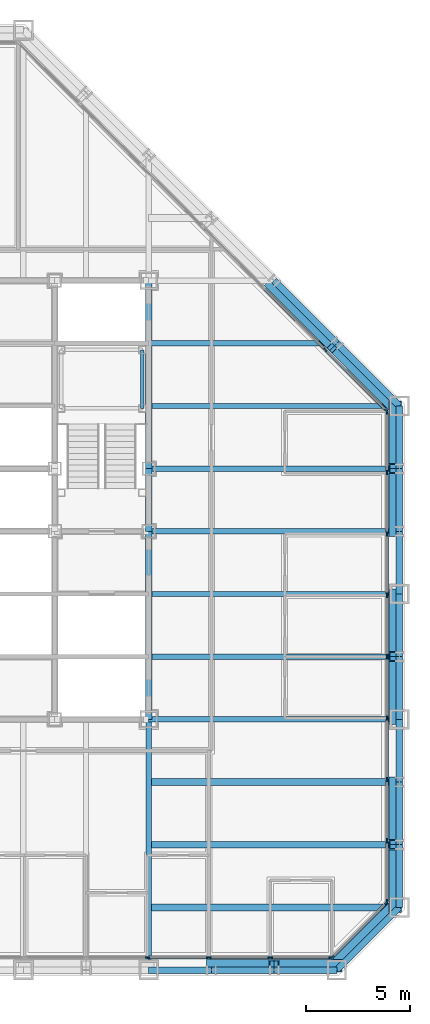
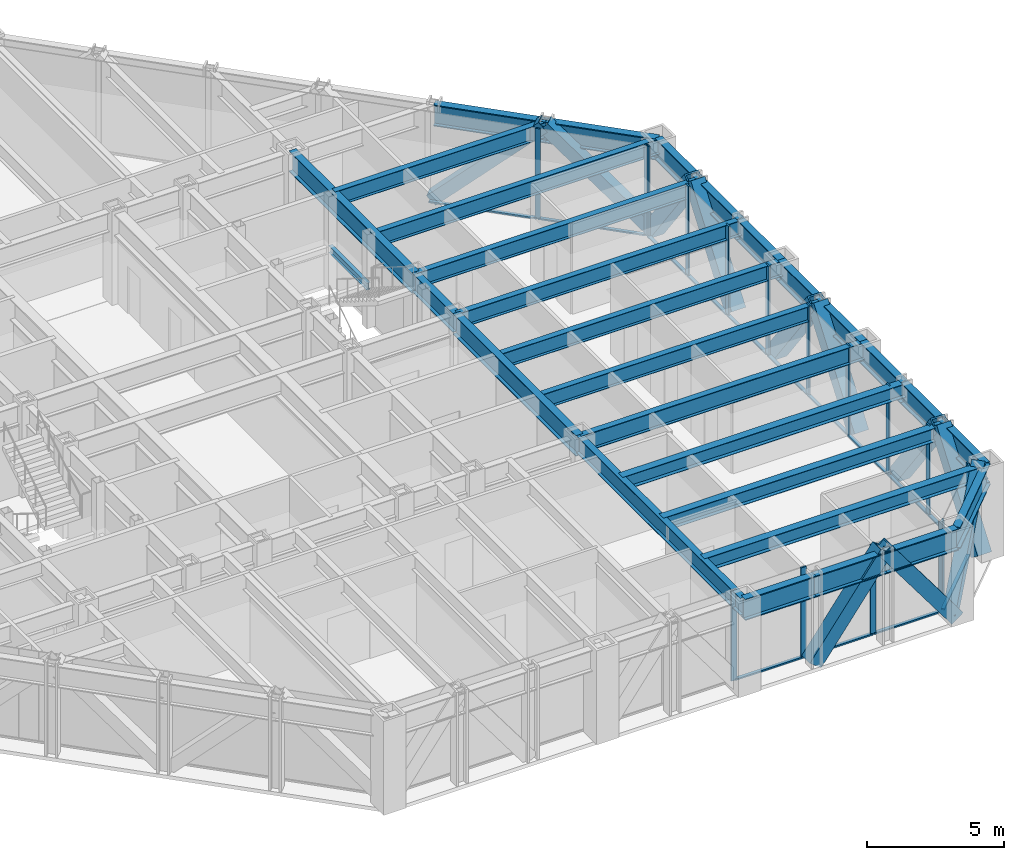
# One storey, part 6 of 16: 42 members, 29 beams, 4 elements without a shape of their own.
"""IFC4 building model written with IfcOpenShell, lengths in metres."""

from ifc_helpers import new_model, si_unit, direction, frame, origin, origin_2d, place, context, subcontext, project, spatial, rectangle, hollow_rectangle, i_section, extrude, material, layer, layer_set, material_profile, profile_set, type_object, element, aggregate, save


model = new_model("IFC4")

# Units and contexts
model_context = context("Model", 3, precision=1e-05, world=origin(), true_north=direction((0.0, 1.0)))
body_context = subcontext(model_context, "Body", "Model", "MODEL_VIEW")
ifc_project = project(units=[si_unit("LENGTHUNIT", "METRE"), si_unit("AREAUNIT", "SQUARE_METRE"), si_unit("VOLUMEUNIT", "CUBIC_METRE"), si_unit("PLANEANGLEUNIT", "RADIAN"), si_unit("MASSUNIT", "GRAM", prefix="KILO")], contexts=[model_context])

# Site, building, storey
site_placement = place(None, origin())
site = spatial("IfcSite", under=ifc_project, at=site_placement, CompositionType="ELEMENT")
building_placement = place(site_placement, origin())
building = spatial("IfcBuilding", under=site, at=building_placement, Name="Chuquiago Exchange Tower", CompositionType="ELEMENT")
storey_placement = place(building_placement, frame((0.0, 0.0, 148.800048828125)))
storey = spatial("IfcBuildingStorey", under=building, at=storey_placement, Name="L32", CompositionType="ELEMENT", Elevation=148.800048828125)

# Beams
ifc_material_1 = material(Name="Steel ASTM A992", Category="steel")
ifc_material_profile_1 = material_profile(ifc_material_1, i_section(OverallWidth=0.25390625, OverallDepth=0.683349609375, WebThickness=0.012451171875, FlangeThickness=0.018798828125, at=origin_2d()), Name="W27X94")
ifc_profile_set_1 = profile_set([ifc_material_profile_1], Name="Steel ASTM A992")
beam_type_1 = type_object("IfcBeamType", Name="B1 W27X94", PredefinedType="BEAM", material=ifc_profile_set_1)
for number, where, z_axis, x_axis, name in (
    (1, (33.0, 15.0, 3.6982421875), (1.0, 0.0, 0.0), (0.0, 1.0, 0.0), "FB-L33-infill-33_15-45_15-0"),
    (2, (33.0, 18.0, 3.6982421875), (1.0, 0.0, 0.0), (0.0, 1.0, 0.0), "FB-L33-infill-33_18-45_18-0"),
    (3, (33.0, 21.0, 3.6982421875), (1.0, 0.0, 0.0), (0.0, 1.0, 0.0), "FB-L33-infill-33_21-45_21-0"),
    (4, (33.0, 24.0, 3.6982421875), (1.0, 0.0, 0.0), (0.0, 1.0, 0.0), "FB-L33-infill-33_24-45_24-0"),
    (5, (33.0, 27.0, 3.6982421875), (1.0, 0.0, 0.0), (0.0, 1.0, 0.0), "FB-L33-infill-33_27-45_27-0"),
):
    element("IfcBeam", number, at=place(storey_placement, frame(where, z_axis=z_axis, x_axis=x_axis)), inside=storey, type_object=beam_type_1, Name=name, PredefinedType="BEAM", context=body_context, shape_type="SweptSolid", body=[
        extrude(i_section(OverallWidth=0.25390625, OverallDepth=0.683349609375, WebThickness=0.012451171875, FlangeThickness=0.018798828125, at=origin_2d()), origin(), (0.0, 0.0, 1.0), 12.0),
    ])
beam_1_placement = place(storey_placement, frame((33.0, 30.0, 3.6982421875), z_axis=(1.0, 0.0, 0.0), x_axis=(0.0, 1.0, 0.0)))
element("IfcBeam", 6, at=beam_1_placement, inside=storey, type_object=beam_type_1, Name="FB-L33-infill-33_30-42_30-0", PredefinedType="BEAM", context=body_context, shape_type="SweptSolid", body=[
    extrude(i_section(OverallWidth=0.25390625, OverallDepth=0.683349609375, WebThickness=0.012451171875, FlangeThickness=0.018798828125, at=origin_2d()), origin(), (0.0, 0.0, 1.0), 9.0),
])
ifc_material_2 = material(Name="Steel ASTM A992", Category="steel")
ifc_material_profile_2 = material_profile(ifc_material_2, i_section(OverallWidth=0.307373046875, OverallDepth=0.927001953125, WebThickness=0.01953125, FlangeThickness=0.031982421875, at=origin_2d()), Name="W36X194")
ifc_profile_set_2 = profile_set([ifc_material_profile_2], Name="Steel ASTM A992")
beam_type_2 = type_object("IfcBeamType", Name="B10 W36X194", PredefinedType="BEAM", material=ifc_profile_set_2)
for number, where, z_axis, x_axis, name in (
    (7, (33.0, 12.0, 3.576416015625), (0.0, 1.0, 0.0), (-1.0, 0.0, 0.0), "CB-L33-33_12-33_21"),
    (8, (33.0, 24.0, 3.576416015625), (0.0, 1.0, 0.0), (-1.0, 0.0, 0.0), "CB-L33-33_24-33_33"),
):
    element("IfcBeam", number, at=place(storey_placement, frame(where, z_axis=z_axis, x_axis=x_axis)), inside=storey, type_object=beam_type_2, Name=name, PredefinedType="BEAM", context=body_context, shape_type="SweptSolid", body=[
        extrude(i_section(OverallWidth=0.307373046875, OverallDepth=0.927001953125, WebThickness=0.01953125, FlangeThickness=0.031982421875, at=origin_2d()), origin(), (0.0, 0.0, 1.0), 9.0),
    ])
ifc_material_3 = material(Name="Steel ASTM A992", Category="steel")
ifc_material_profile_3 = material_profile(ifc_material_3, i_section(OverallWidth=0.3251953125, OverallDepth=0.612060546875, WebThickness=0.0126953125, FlangeThickness=0.01904296875, at=origin_2d()), Name="W24X104")
ifc_profile_set_3 = profile_set([ifc_material_profile_3], Name="Steel ASTM A992")
beam_type_3 = type_object("IfcBeamType", Name="B2 W24X104", PredefinedType="BEAM", material=ifc_profile_set_3)
for number, where, z_axis, x_axis, name in (
    (9, (33.0, 3.0, 3.73388671875), (1.0, 0.0, 0.0), (0.0, 1.0, 0.0), "FB-L33-corner-33_3-45_3-0"),
    (10, (33.0, 6.0, 3.73388671875), (1.0, 0.0, 0.0), (0.0, 1.0, 0.0), "FB-L33-corner-33_6-45_6-0"),
    (11, (33.0, 9.0, 3.73388671875), (1.0, 0.0, 0.0), (0.0, 1.0, 0.0), "FB-L33-corner-33_9-45_9-0"),
):
    element("IfcBeam", number, at=place(storey_placement, frame(where, z_axis=z_axis, x_axis=x_axis)), inside=storey, type_object=beam_type_3, Name=name, PredefinedType="BEAM", context=body_context, shape_type="SweptSolid", body=[
        extrude(i_section(OverallWidth=0.3251953125, OverallDepth=0.612060546875, WebThickness=0.0126953125, FlangeThickness=0.01904296875, at=origin_2d()), origin(), (0.0, 0.0, 1.0), 12.0),
    ])
ifc_material_4 = material(Name="Steel ASTM A992", Category="steel")
ifc_material_profile_4 = material_profile(ifc_material_4, i_section(OverallWidth=0.2919921875, OverallDepth=0.8583984375, WebThickness=0.01708984375, FlangeThickness=0.031005859375, at=origin_2d()), Name="W33X169")
ifc_profile_set_4 = profile_set([ifc_material_profile_4], Name="Steel ASTM A992")
beam_type_4 = type_object("IfcBeamType", Name="B3 W33X169", PredefinedType="BEAM", material=ifc_profile_set_4)
beam_2_placement = place(storey_placement, frame((33.0, 21.0, 3.610595703125), z_axis=(0.0, 1.0, 0.0), x_axis=(-1.0, 0.0, 0.0)))
element("IfcBeam", 12, at=beam_2_placement, inside=storey, type_object=beam_type_4, Name="CB-L33-33_21-33_24", PredefinedType="BEAM", context=body_context, shape_type="SweptSolid", body=[
    extrude(i_section(OverallWidth=0.2919921875, OverallDepth=0.8583984375, WebThickness=0.01708984375, FlangeThickness=0.031005859375, at=origin_2d()), origin(), (0.0, 0.0, 1.0), 3.0),
])

# Curtain wall, members
ifc_material_5 = material(Name="Aluminium curtain wall system", Category="aluminium")
ifc_layer_1 = layer(ifc_material_5, 0.22509765625)
ifc_layer_set_1 = layer_set([ifc_layer_1], Name="CW2 office curtain wall")
curtain_wall_type_1 = type_object("IfcCurtainWallType", Name="CW2 office curtain wall", PredefinedType="NOTDEFINED", material=ifc_layer_set_1)
curtain_wall_1_placement = place(storey_placement, origin())
curtain_wall_1 = element("IfcCurtainWall", 13, at=curtain_wall_1_placement, inside=storey, type_object=curtain_wall_type_1, Name="CW2 curtain wall L32", PredefinedType="NOTDEFINED")
ifc_material_6 = material(Name="Aluminium mullion, pale anodised", Category="aluminium")
ifc_material_profile_5 = material_profile(ifc_material_6, rectangle(XDim=0.06494140625, YDim=0.22509765625, at=origin_2d()), Name="AL 65x225")
ifc_profile_set_5 = profile_set([ifc_material_profile_5], Name="Aluminium mullion, pale anodised")
member_type_1 = type_object("IfcMemberType", Name="CW2-M mullion 65x225", PredefinedType="MULLION", material=ifc_profile_set_5)
member_1_placement = place(storey_placement, frame((32.93798828125, 0.60009765625, 0.0), z_axis=(0.0, 0.0, 1.0), x_axis=(0.0, 1.0, 0.0)))
member_1 = element("IfcMember", 14, at=member_1_placement, type_object=member_type_1, Name="CW2 mullion 6", PredefinedType="MULLION", context=body_context, shape_type="SweptSolid", body=[
    extrude(rectangle(XDim=0.06494140625, YDim=0.22509765625, at=origin_2d()), origin(), (0.0, 0.0, 1.0), 4.0400390625),
])
member_2_placement = place(storey_placement, frame((35.875732421875, 0.60009765625, 0.0), z_axis=(0.0, 0.0, 1.0), x_axis=(0.0, 1.0, 0.0)))
member_2 = element("IfcMember", 15, at=member_2_placement, type_object=member_type_1, Name="CW2 mullion 7", PredefinedType="MULLION", context=body_context, shape_type="SweptSolid", body=[
    extrude(rectangle(XDim=0.06494140625, YDim=0.22509765625, at=origin_2d()), origin(), (0.0, 0.0, 1.0), 4.0400390625),
])
member_3_placement = place(storey_placement, frame((38.813720703125, 0.60009765625, 0.0), z_axis=(0.0, 0.0, 1.0), x_axis=(0.0, 1.0, 0.0)))
member_3 = element("IfcMember", 16, at=member_3_placement, type_object=member_type_1, Name="CW2 mullion 8", PredefinedType="MULLION", context=body_context, shape_type="SweptSolid", body=[
    extrude(rectangle(XDim=0.06494140625, YDim=0.22509765625, at=origin_2d()), origin(), (0.0, 0.0, 1.0), 4.0400390625),
])
member_4_placement = place(storey_placement, frame((41.718994140625, 0.60009765625, 0.0), z_axis=(0.0, 0.0, 1.0), x_axis=(0.0, 1.0, 0.0)))
member_4 = element("IfcMember", 17, at=member_4_placement, type_object=member_type_1, Name="CW2 mullion 9", PredefinedType="MULLION", context=body_context, shape_type="SweptSolid", body=[
    extrude(rectangle(XDim=0.06494140625, YDim=0.22509765625, at=origin_2d()), origin(), (0.0, 0.0, 1.0), 4.0400390625),
])

curtain_wall_2_placement = place(storey_placement, origin())
curtain_wall_2 = element("IfcCurtainWall", 18, at=curtain_wall_2_placement, inside=storey, type_object=curtain_wall_type_1, Name="CW2 curtain wall L32", PredefinedType="NOTDEFINED")
member_5_placement = place(storey_placement, frame((44.39990234375, 3.281005859375, 0.0), z_axis=(0.0, 0.0, 1.0), x_axis=(-1.0, 0.0, 0.0)))
member_5 = element("IfcMember", 19, at=member_5_placement, type_object=member_type_1, Name="CW2 mullion 1", PredefinedType="MULLION", context=body_context, shape_type="SweptSolid", body=[
    extrude(rectangle(XDim=0.06494140625, YDim=0.22509765625, at=origin_2d()), origin(), (0.0, 0.0, 1.0), 4.0400390625),
])
member_6_placement = place(storey_placement, frame((44.39990234375, 6.186279296875, 0.0), z_axis=(0.0, 0.0, 1.0), x_axis=(-1.0, 0.0, 0.0)))
member_6 = element("IfcMember", 20, at=member_6_placement, type_object=member_type_1, Name="CW2 mullion 2", PredefinedType="MULLION", context=body_context, shape_type="SweptSolid", body=[
    extrude(rectangle(XDim=0.06494140625, YDim=0.22509765625, at=origin_2d()), origin(), (0.0, 0.0, 1.0), 4.0400390625),
])
member_7_placement = place(storey_placement, frame((44.39990234375, 9.124267578125, 0.0), z_axis=(0.0, 0.0, 1.0), x_axis=(-1.0, 0.0, 0.0)))
member_7 = element("IfcMember", 21, at=member_7_placement, type_object=member_type_1, Name="CW2 mullion 3", PredefinedType="MULLION", context=body_context, shape_type="SweptSolid", body=[
    extrude(rectangle(XDim=0.06494140625, YDim=0.22509765625, at=origin_2d()), origin(), (0.0, 0.0, 1.0), 4.0400390625),
])
member_8_placement = place(storey_placement, frame((44.39990234375, 12.06201171875, 0.0), z_axis=(0.0, 0.0, 1.0), x_axis=(-1.0, 0.0, 0.0)))
member_8 = element("IfcMember", 22, at=member_8_placement, type_object=member_type_1, Name="CW2 mullion 4", PredefinedType="MULLION", context=body_context, shape_type="SweptSolid", body=[
    extrude(rectangle(XDim=0.06494140625, YDim=0.22509765625, at=origin_2d()), origin(), (0.0, 0.0, 1.0), 4.0400390625),
])
member_9_placement = place(storey_placement, frame((44.39990234375, 15.0, 0.0), z_axis=(0.0, 0.0, 1.0), x_axis=(-1.0, 0.0, 0.0)))
member_9 = element("IfcMember", 23, at=member_9_placement, type_object=member_type_1, Name="CW2 mullion 5", PredefinedType="MULLION", context=body_context, shape_type="SweptSolid", body=[
    extrude(rectangle(XDim=0.06494140625, YDim=0.22509765625, at=origin_2d()), origin(), (0.0, 0.0, 1.0), 4.0400390625),
])
member_10_placement = place(storey_placement, frame((44.39990234375, 17.93798828125, 0.0), z_axis=(0.0, 0.0, 1.0), x_axis=(-1.0, 0.0, 0.0)))
member_10 = element("IfcMember", 24, at=member_10_placement, type_object=member_type_1, Name="CW2 mullion 6", PredefinedType="MULLION", context=body_context, shape_type="SweptSolid", body=[
    extrude(rectangle(XDim=0.06494140625, YDim=0.22509765625, at=origin_2d()), origin(), (0.0, 0.0, 1.0), 4.0400390625),
])
member_11_placement = place(storey_placement, frame((44.39990234375, 20.875732421875, 0.0), z_axis=(0.0, 0.0, 1.0), x_axis=(-1.0, 0.0, 0.0)))
member_11 = element("IfcMember", 25, at=member_11_placement, type_object=member_type_1, Name="CW2 mullion 7", PredefinedType="MULLION", context=body_context, shape_type="SweptSolid", body=[
    extrude(rectangle(XDim=0.06494140625, YDim=0.22509765625, at=origin_2d()), origin(), (0.0, 0.0, 1.0), 4.0400390625),
])
member_12_placement = place(storey_placement, frame((44.39990234375, 23.813720703125, 0.0), z_axis=(0.0, 0.0, 1.0), x_axis=(-1.0, 0.0, 0.0)))
member_12 = element("IfcMember", 26, at=member_12_placement, type_object=member_type_1, Name="CW2 mullion 8", PredefinedType="MULLION", context=body_context, shape_type="SweptSolid", body=[
    extrude(rectangle(XDim=0.06494140625, YDim=0.22509765625, at=origin_2d()), origin(), (0.0, 0.0, 1.0), 4.0400390625),
])
member_13_placement = place(storey_placement, frame((44.39990234375, 26.718994140625, 0.0), z_axis=(0.0, 0.0, 1.0), x_axis=(-1.0, 0.0, 0.0)))
member_13 = element("IfcMember", 27, at=member_13_placement, type_object=member_type_1, Name="CW2 mullion 9", PredefinedType="MULLION", context=body_context, shape_type="SweptSolid", body=[
    extrude(rectangle(XDim=0.06494140625, YDim=0.22509765625, at=origin_2d()), origin(), (0.0, 0.0, 1.0), 4.0400390625),
])

# Member
ifc_material_7 = material(Name="Aluminium transom, pale anodised", Category="aluminium")
ifc_material_profile_6 = material_profile(ifc_material_7, rectangle(XDim=0.139892578125, YDim=0.06494140625, at=origin_2d()), Name="AL 140x65")
ifc_profile_set_6 = profile_set([ifc_material_profile_6], Name="Aluminium transom, pale anodised")
member_type_2 = type_object("IfcMemberType", Name="CW2-T transom 65x140", PredefinedType="MULLION", material=ifc_profile_set_6)
member_14_placement = place(storey_placement, frame((32.970458984375, 0.60009765625, 0.032470703125), z_axis=(1.0, 0.0, 0.0), x_axis=(0.0, 1.0, 0.0)))
member_14 = element("IfcMember", 28, at=member_14_placement, type_object=member_type_2, Name="CW2 transom 6.1", PredefinedType="MULLION", context=body_context, shape_type="SweptSolid", body=[
    extrude(rectangle(XDim=0.139892578125, YDim=0.06494140625, at=origin_2d()), origin(), (0.0, 0.0, 1.0), 2.872802734375),
])

member_15_placement = place(storey_placement, frame((35.908203125, 0.60009765625, 0.032470703125), z_axis=(1.0, 0.0, 0.0), x_axis=(0.0, 1.0, 0.0)))
member_15 = element("IfcMember", 29, at=member_15_placement, type_object=member_type_2, Name="CW2 transom 7.1", PredefinedType="MULLION", context=body_context, shape_type="SweptSolid", body=[
    extrude(rectangle(XDim=0.139892578125, YDim=0.06494140625, at=origin_2d()), origin(), (0.0, 0.0, 1.0), 2.872802734375),
])

member_16_placement = place(storey_placement, frame((38.84619140625, 0.60009765625, 0.032470703125), z_axis=(1.0, 0.0, 0.0), x_axis=(0.0, 1.0, 0.0)))
member_16 = element("IfcMember", 30, at=member_16_placement, type_object=member_type_2, Name="CW2 transom 8.1", PredefinedType="MULLION", context=body_context, shape_type="SweptSolid", body=[
    extrude(rectangle(XDim=0.139892578125, YDim=0.06494140625, at=origin_2d()), origin(), (0.0, 0.0, 1.0), 2.84033203125),
])

aggregate(curtain_wall_1, [member_1, member_2, member_3, member_4, member_14, member_15, member_16])

member_17_placement = place(storey_placement, frame((44.39990234375, 3.3134765625, 0.032470703125), z_axis=(0.0, 1.0, 0.0), x_axis=(-1.0, 0.0, 0.0)))
member_17 = element("IfcMember", 31, at=member_17_placement, type_object=member_type_2, Name="CW2 transom 1.1", PredefinedType="MULLION", context=body_context, shape_type="SweptSolid", body=[
    extrude(rectangle(XDim=0.139892578125, YDim=0.06494140625, at=origin_2d()), origin(), (0.0, 0.0, 1.0), 2.84033203125),
])

member_18_placement = place(storey_placement, frame((44.39990234375, 6.218994140625, 0.032470703125), z_axis=(0.0, 1.0, 0.0), x_axis=(-1.0, 0.0, 0.0)))
member_18 = element("IfcMember", 32, at=member_18_placement, type_object=member_type_2, Name="CW2 transom 2.1", PredefinedType="MULLION", context=body_context, shape_type="SweptSolid", body=[
    extrude(rectangle(XDim=0.139892578125, YDim=0.06494140625, at=origin_2d()), origin(), (0.0, 0.0, 1.0), 2.872802734375),
])

member_19_placement = place(storey_placement, frame((44.39990234375, 9.15673828125, 0.032470703125), z_axis=(0.0, 1.0, 0.0), x_axis=(-1.0, 0.0, 0.0)))
member_19 = element("IfcMember", 33, at=member_19_placement, type_object=member_type_2, Name="CW2 transom 3.1", PredefinedType="MULLION", context=body_context, shape_type="SweptSolid", body=[
    extrude(rectangle(XDim=0.139892578125, YDim=0.06494140625, at=origin_2d()), origin(), (0.0, 0.0, 1.0), 2.872802734375),
])

member_20_placement = place(storey_placement, frame((44.39990234375, 12.0947265625, 0.032470703125), z_axis=(0.0, 1.0, 0.0), x_axis=(-1.0, 0.0, 0.0)))
member_20 = element("IfcMember", 34, at=member_20_placement, type_object=member_type_2, Name="CW2 transom 4.1", PredefinedType="MULLION", context=body_context, shape_type="SweptSolid", body=[
    extrude(rectangle(XDim=0.139892578125, YDim=0.06494140625, at=origin_2d()), origin(), (0.0, 0.0, 1.0), 2.872802734375),
])

member_21_placement = place(storey_placement, frame((44.39990234375, 15.032470703125, 0.032470703125), z_axis=(0.0, 1.0, 0.0), x_axis=(-1.0, 0.0, 0.0)))
member_21 = element("IfcMember", 35, at=member_21_placement, type_object=member_type_2, Name="CW2 transom 5.1", PredefinedType="MULLION", context=body_context, shape_type="SweptSolid", body=[
    extrude(rectangle(XDim=0.139892578125, YDim=0.06494140625, at=origin_2d()), origin(), (0.0, 0.0, 1.0), 2.872802734375),
])

member_22_placement = place(storey_placement, frame((44.39990234375, 17.970458984375, 0.032470703125), z_axis=(0.0, 1.0, 0.0), x_axis=(-1.0, 0.0, 0.0)))
member_22 = element("IfcMember", 36, at=member_22_placement, type_object=member_type_2, Name="CW2 transom 6.1", PredefinedType="MULLION", context=body_context, shape_type="SweptSolid", body=[
    extrude(rectangle(XDim=0.139892578125, YDim=0.06494140625, at=origin_2d()), origin(), (0.0, 0.0, 1.0), 2.872802734375),
])

member_23_placement = place(storey_placement, frame((44.39990234375, 20.908203125, 0.032470703125), z_axis=(0.0, 1.0, 0.0), x_axis=(-1.0, 0.0, 0.0)))
member_23 = element("IfcMember", 37, at=member_23_placement, type_object=member_type_2, Name="CW2 transom 7.1", PredefinedType="MULLION", context=body_context, shape_type="SweptSolid", body=[
    extrude(rectangle(XDim=0.139892578125, YDim=0.06494140625, at=origin_2d()), origin(), (0.0, 0.0, 1.0), 2.872802734375),
])

member_24_placement = place(storey_placement, frame((44.39990234375, 23.84619140625, 0.032470703125), z_axis=(0.0, 1.0, 0.0), x_axis=(-1.0, 0.0, 0.0)))
member_24 = element("IfcMember", 38, at=member_24_placement, type_object=member_type_2, Name="CW2 transom 8.1", PredefinedType="MULLION", context=body_context, shape_type="SweptSolid", body=[
    extrude(rectangle(XDim=0.139892578125, YDim=0.06494140625, at=origin_2d()), origin(), (0.0, 0.0, 1.0), 2.84033203125),
])

aggregate(curtain_wall_2, [member_5, member_6, member_7, member_8, member_9, member_10, member_11, member_12, member_13, member_17, member_18, member_19, member_20, member_21, member_22, member_23, member_24])

# Curtain wall, members
ifc_material_8 = material(Name="Aluminium curtain wall system", Category="aluminium")
ifc_layer_2 = layer(ifc_material_8, 0.199951171875)
ifc_layer_set_2 = layer_set([ifc_layer_2], Name="CW3 facet curtain wall")
curtain_wall_type_2 = type_object("IfcCurtainWallType", Name="CW3 facet curtain wall", PredefinedType="NOTDEFINED", material=ifc_layer_set_2)
curtain_wall_3_placement = place(storey_placement, origin())
curtain_wall_3 = element("IfcCurtainWall", 39, at=curtain_wall_3_placement, inside=storey, type_object=curtain_wall_type_2, Name="CW3 curtain wall L32", PredefinedType="NOTDEFINED")
ifc_material_9 = material(Name="Aluminium mullion, pale anodised", Category="aluminium")
ifc_material_profile_7 = material_profile(ifc_material_9, rectangle(XDim=0.06494140625, YDim=0.199951171875, at=origin_2d()), Name="AL 65x200")
ifc_profile_set_7 = profile_set([ifc_material_profile_7], Name="Aluminium mullion, pale anodised")
member_type_3 = type_object("IfcMemberType", Name="CW3-M mullion 65x200", PredefinedType="MULLION", material=ifc_profile_set_7)
member_25_placement = place(storey_placement, frame((41.7744140625, 0.623046875, 0.0), z_axis=(0.0, 0.0, 1.0), x_axis=(-0.707106781187, 0.707106781187, 0.0)))
member_25 = element("IfcMember", 40, at=member_25_placement, type_object=member_type_3, Name="CW3 mullion 1", PredefinedType="MULLION", context=body_context, shape_type="SweptSolid", body=[
    extrude(rectangle(XDim=0.06494140625, YDim=0.199951171875, at=origin_2d()), origin(), (0.0, 0.0, 1.0), 4.0400390625),
])
member_26_placement = place(storey_placement, frame((44.376953125, 3.2255859375, 0.0), z_axis=(0.0, 0.0, 1.0), x_axis=(-0.707106781187, 0.707106781187, 0.0)))
member_26 = element("IfcMember", 41, at=member_26_placement, type_object=member_type_3, Name="CW3 mullion 2", PredefinedType="MULLION", context=body_context, shape_type="SweptSolid", body=[
    extrude(rectangle(XDim=0.06494140625, YDim=0.199951171875, at=origin_2d()), origin(), (0.0, 0.0, 1.0), 4.0400390625),
])

curtain_wall_4_placement = place(storey_placement, origin())
curtain_wall_4 = element("IfcCurtainWall", 42, at=curtain_wall_4_placement, inside=storey, type_object=curtain_wall_type_2, Name="CW3 curtain wall L32", PredefinedType="NOTDEFINED")
member_27_placement = place(storey_placement, frame((44.376953125, 26.7744140625, 0.0), z_axis=(0.0, 0.0, 1.0), x_axis=(-0.707106781187, -0.707106781187, 0.0)))
member_27 = element("IfcMember", 43, at=member_27_placement, type_object=member_type_3, Name="CW3 mullion 1", PredefinedType="MULLION", context=body_context, shape_type="SweptSolid", body=[
    extrude(rectangle(XDim=0.06494140625, YDim=0.199951171875, at=origin_2d()), origin(), (0.0, 0.0, 1.0), 4.0400390625),
])
member_28_placement = place(storey_placement, frame((41.45849609375, 29.69287109375, 0.0), z_axis=(0.0, 0.0, 1.0), x_axis=(-0.707106781187, -0.707106781187, 0.0)))
member_28 = element("IfcMember", 44, at=member_28_placement, type_object=member_type_3, Name="CW3 mullion 2", PredefinedType="MULLION", context=body_context, shape_type="SweptSolid", body=[
    extrude(rectangle(XDim=0.06494140625, YDim=0.199951171875, at=origin_2d()), origin(), (0.0, 0.0, 1.0), 4.0400390625),
])

# Member
ifc_material_10 = material(Name="Aluminium transom, pale anodised", Category="aluminium")
ifc_material_profile_8 = material_profile(ifc_material_10, rectangle(XDim=0.139892578125, YDim=0.06494140625, at=origin_2d()), Name="AL 140x65")
ifc_profile_set_8 = profile_set([ifc_material_profile_8], Name="Aluminium transom, pale anodised")
member_type_4 = type_object("IfcMemberType", Name="CW3-T transom 65x140", PredefinedType="MULLION", material=ifc_profile_set_8)
member_29_placement = place(storey_placement, frame((41.79736328125, 0.64599609375, 0.032470703125), z_axis=(0.707106781187, 0.707106781187, 0.0), x_axis=(-0.707106781187, 0.707106781187, 0.0)))
member_29 = element("IfcMember", 45, at=member_29_placement, type_object=member_type_4, Name="CW3 transom 1.1", PredefinedType="MULLION", context=body_context, shape_type="SweptSolid", body=[
    extrude(rectangle(XDim=0.139892578125, YDim=0.06494140625, at=origin_2d()), origin(), (0.0, 0.0, 1.0), 3.61572265625),
])

aggregate(curtain_wall_3, [member_25, member_26, member_29])

member_30_placement = place(storey_placement, frame((44.35400390625, 26.79736328125, 0.032470703125), z_axis=(-0.707106781187, 0.707106781187, 0.0), x_axis=(-0.707106781187, -0.707106781187, 0.0)))
member_30 = element("IfcMember", 46, at=member_30_placement, type_object=member_type_4, Name="CW3 transom 1.1", PredefinedType="MULLION", context=body_context, shape_type="SweptSolid", body=[
    extrude(rectangle(XDim=0.139892578125, YDim=0.06494140625, at=origin_2d()), origin(), (0.0, 0.0, 1.0), 4.0625),
])

member_31_placement = place(storey_placement, frame((41.435546875, 29.7158203125, 0.032470703125), z_axis=(-0.707106781187, 0.707106781187, 0.0), x_axis=(-0.707106781187, -0.707106781187, 0.0)))
member_31 = element("IfcMember", 47, at=member_31_placement, type_object=member_type_4, Name="CW3 transom 2.1", PredefinedType="MULLION", context=body_context, shape_type="SweptSolid", body=[
    extrude(rectangle(XDim=0.139892578125, YDim=0.06494140625, at=origin_2d()), origin(), (0.0, 0.0, 1.0), 4.094970703125),
])

aggregate(curtain_wall_4, [member_27, member_28, member_30, member_31])

# Beams
ifc_material_11 = material(Name="Steel ASTM A992", Category="steel")
ifc_material_profile_9 = material_profile(ifc_material_11, i_section(OverallWidth=0.2666015625, OverallDepth=0.76953125, WebThickness=0.015625, FlangeThickness=0.025390625, at=origin_2d()), Name="W30X132")
ifc_profile_set_9 = profile_set([ifc_material_profile_9], Name="Steel ASTM A992")
beam_type_5 = type_object("IfcBeamType", Name="G1 W30X132", PredefinedType="BEAM", material=ifc_profile_set_9)
for number, where, z_axis, x_axis, name in (
    (48, (33.0, 12.0, 3.655029296875), (0.0, -1.0, 0.0), (1.0, 0.0, 0.0), "FB-L33-girder-33_12-33_-0-0"),
    (49, (33.0, 12.0, 3.655029296875), (1.0, 0.0, 0.0), (0.0, 1.0, 0.0), "FB-L33-girder-33_12-45_12-0"),
):
    element("IfcBeam", number, at=place(storey_placement, frame(where, z_axis=z_axis, x_axis=x_axis)), inside=storey, type_object=beam_type_5, Name=name, PredefinedType="BEAM", context=body_context, shape_type="SweptSolid", body=[
        extrude(i_section(OverallWidth=0.2666015625, OverallDepth=0.76953125, WebThickness=0.015625, FlangeThickness=0.025390625, at=origin_2d()), origin(), (0.0, 0.0, 1.0), 12.0),
    ])

# Members
ifc_material_12 = material(Name="Steel ASTM A500 Grade C", Category="steel")
ifc_material_profile_10 = material_profile(ifc_material_12, hollow_rectangle(XDim=0.508056640625, YDim=0.508056640625, WallThickness=0.017822265625, at=origin_2d()), Name="HSS20X20X3/4")
ifc_profile_set_10 = profile_set([ifc_material_profile_10], Name="Steel ASTM A500 Grade C")
member_type_5 = type_object("IfcMemberType", Name="LB1 HSS20X20X3/4", PredefinedType="BRACE", material=ifc_profile_set_10)
for number, where, z_axis, x_axis, name in (
    (50, (41.822509765625, 0.177490234375, 0.0), (0.512077265487, 0.512077265487, 0.689604051861), (-0.707106781187, 0.707106781187, 0.0), "LB-L32-42_0-45_3"),
    (51, (44.822509765625, 26.822509765625, 0.0), (-0.512077265487, 0.512077265487, 0.689604051861), (-0.707106781187, -0.707106781187, 0.0), "LB-L32-45_27-42_30"),
    (52, (38.822509765625, 32.822509765625, 0.0), (0.512077265487, -0.512077265487, 0.689604051861), (0.707106781187, 0.707106781187, 0.0), "LB-L32-42_30-39_33"),
):
    element("IfcMember", number, at=place(storey_placement, frame(where, z_axis=z_axis, x_axis=x_axis)), inside=storey, type_object=member_type_5, Name=name, PredefinedType="BRACE", context=body_context, shape_type="SweptSolid", body=[
        extrude(hollow_rectangle(XDim=0.508056640625, YDim=0.508056640625, WallThickness=0.017822265625, at=origin_2d()), origin(), (0.0, 0.0, 1.0), 5.8583984375),
    ])

# Beam
ifc_material_13 = material(Name="Steel ASTM A992", Category="steel")
ifc_material_profile_11 = material_profile(ifc_material_13, i_section(OverallWidth=0.164794921875, OverallDepth=0.309814453125, WebThickness=0.005859375, FlangeThickness=0.009765625, at=origin_2d()), Name="W12X26")
ifc_profile_set_11 = profile_set([ifc_material_profile_11], Name="Steel ASTM A992")
beam_type_6 = type_object("IfcBeamType", Name="LS1 W12X26", PredefinedType="BEAM", material=ifc_profile_set_11)
beam_3_placement = place(storey_placement, frame((32.68994140625, 26.889892578125, 1.7451171875), z_axis=(0.0, 1.0, 0.0), x_axis=(-1.0, 0.0, 0.0)))
element("IfcBeam", 53, at=beam_3_placement, inside=storey, type_object=beam_type_6, Name="Stair ST2 L32 landing 1 stringer", PredefinedType="BEAM", context=body_context, shape_type="SweptSolid", body=[
    extrude(i_section(OverallWidth=0.164794921875, OverallDepth=0.309814453125, WebThickness=0.005859375, FlangeThickness=0.009765625, at=origin_2d()), origin(), (0.0, 0.0, 1.0), 2.800048828125),
])

# Members
ifc_material_14 = material(Name="Steel ASTM A572 Grade 50", Category="steel")
ifc_material_profile_12 = material_profile(ifc_material_14, hollow_rectangle(XDim=0.60009765625, YDim=0.60009765625, WallThickness=0.06005859375, at=origin_2d()), Name="BOX600X600X60")
ifc_profile_set_12 = profile_set([ifc_material_profile_12], Name="Steel ASTM A572 Grade 50")
member_type_6 = type_object("IfcMemberType", Name="MB2 BOX600X600X60", PredefinedType="BRACE", material=ifc_profile_set_12)
for number, where, z_axis, x_axis, name in (
    (54, (36.0, 0.205078125, 0.0), (0.596173923302, 0.0, 0.802855312728), (0.0, 1.0, 0.0), "Mega diagonal L32 S face"),
    (55, (42.0, 0.205078125, 0.0), (-0.596173923302, 0.0, 0.802855312728), (0.0, -1.0, 0.0), "Mega diagonal L32 S face"),
    (56, (44.794921875, 3.0, 0.0), (0.0, 0.596173923302, 0.802855312728), (-1.0, 0.0, 0.0), "Mega diagonal L32 E face"),
    (57, (44.794921875, 9.0, 0.0), (0.0, -0.596173923302, 0.802855312728), (1.0, 0.0, 0.0), "Mega diagonal L32 E face"),
    (58, (44.794921875, 12.0, 0.0), (0.0, 0.596173923302, 0.802855312728), (-1.0, 0.0, 0.0), "Mega diagonal L32 E face"),
    (59, (44.794921875, 18.0, 0.0), (0.0, -0.596173923302, 0.802855312728), (1.0, 0.0, 0.0), "Mega diagonal L32 E face"),
    (60, (44.794921875, 21.0, 0.0), (0.0, 0.596173923302, 0.802855312728), (-1.0, 0.0, 0.0), "Mega diagonal L32 E face"),
    (61, (44.794921875, 27.0, 0.0), (0.0, -0.596173923302, 0.802855312728), (1.0, 0.0, 0.0), "Mega diagonal L32 E face"),
):
    element("IfcMember", number, at=place(storey_placement, frame(where, z_axis=z_axis, x_axis=x_axis)), inside=storey, type_object=member_type_6, Name=name, PredefinedType="BRACE", context=body_context, shape_type="SweptSolid", body=[
        extrude(hollow_rectangle(XDim=0.60009765625, YDim=0.60009765625, WallThickness=0.06005859375, at=origin_2d()), origin(), (0.0, 0.0, 1.0), 5.031982421875),
    ])

# Beams
ifc_material_15 = material(Name="Steel ASTM A992", Category="steel")
ifc_material_profile_13 = material_profile(ifc_material_15, i_section(OverallWidth=0.309814453125, OverallDepth=0.949951171875, WebThickness=0.0244140625, FlangeThickness=0.0439453125, at=origin_2d()), Name="W36X256")
ifc_profile_set_13 = profile_set([ifc_material_profile_13], Name="Steel ASTM A992")
beam_type_7 = type_object("IfcBeamType", Name="SP2 W36X256", PredefinedType="SPANDREL", material=ifc_profile_set_13)
for number, where, z_axis, x_axis, name in (
    (62, (33.0, 0.0, 3.56494140625), (1.0, 0.0, 0.0), (0.0, 1.0, 0.0), "SPB-L33-33_0-36_0"),
    (63, (36.0, 0.0, 3.56494140625), (1.0, 0.0, 0.0), (0.0, 1.0, 0.0), "SPB-L33-36_0-39_0"),
    (64, (39.0, 0.0, 3.56494140625), (1.0, 0.0, 0.0), (0.0, 1.0, 0.0), "SPB-L33-39_0-42_0"),
):
    element("IfcBeam", number, at=place(storey_placement, frame(where, z_axis=z_axis, x_axis=x_axis)), inside=storey, type_object=beam_type_7, Name=name, PredefinedType="SPANDREL", context=body_context, shape_type="SweptSolid", body=[
        extrude(i_section(OverallWidth=0.309814453125, OverallDepth=0.949951171875, WebThickness=0.0244140625, FlangeThickness=0.0439453125, at=origin_2d()), origin(), (0.0, 0.0, 1.0), 3.0),
    ])
beam_4_placement = place(storey_placement, frame((42.0, 0.0, 3.56494140625), z_axis=(0.707106781187, 0.707106781187, 0.0), x_axis=(-0.707106781187, 0.707106781187, 0.0)))
element("IfcBeam", 65, at=beam_4_placement, inside=storey, type_object=beam_type_7, Name="SPB-L33-42_0-45_3", PredefinedType="SPANDREL", context=body_context, shape_type="SweptSolid", body=[
    extrude(i_section(OverallWidth=0.309814453125, OverallDepth=0.949951171875, WebThickness=0.0244140625, FlangeThickness=0.0439453125, at=origin_2d()), origin(), (0.0, 0.0, 1.0), 4.24267578125),
])
for number, where, z_axis, x_axis, name in (
    (66, (45.0, 3.0, 3.56494140625), (0.0, 1.0, 0.0), (-1.0, 0.0, 0.0), "SPB-L33-45_3-45_6"),
    (67, (45.0, 6.0, 3.56494140625), (0.0, 1.0, 0.0), (-1.0, 0.0, 0.0), "SPB-L33-45_6-45_9"),
    (68, (45.0, 9.0, 3.56494140625), (0.0, 1.0, 0.0), (-1.0, 0.0, 0.0), "SPB-L33-45_9-45_12"),
    (69, (45.0, 12.0, 3.56494140625), (0.0, 1.0, 0.0), (-1.0, 0.0, 0.0), "SPB-L33-45_12-45_15"),
    (70, (45.0, 15.0, 3.56494140625), (0.0, 1.0, 0.0), (-1.0, 0.0, 0.0), "SPB-L33-45_15-45_18"),
    (71, (45.0, 18.0, 3.56494140625), (0.0, 1.0, 0.0), (-1.0, 0.0, 0.0), "SPB-L33-45_18-45_21"),
    (72, (45.0, 21.0, 3.56494140625), (0.0, 1.0, 0.0), (-1.0, 0.0, 0.0), "SPB-L33-45_21-45_24"),
    (73, (45.0, 24.0, 3.56494140625), (0.0, 1.0, 0.0), (-1.0, 0.0, 0.0), "SPB-L33-45_24-45_27"),
):
    element("IfcBeam", number, at=place(storey_placement, frame(where, z_axis=z_axis, x_axis=x_axis)), inside=storey, type_object=beam_type_7, Name=name, PredefinedType="SPANDREL", context=body_context, shape_type="SweptSolid", body=[
        extrude(i_section(OverallWidth=0.309814453125, OverallDepth=0.949951171875, WebThickness=0.0244140625, FlangeThickness=0.0439453125, at=origin_2d()), origin(), (0.0, 0.0, 1.0), 3.0),
    ])
for number, where, z_axis, x_axis, name in (
    (74, (45.0, 27.0, 3.56494140625), (-0.707106781187, 0.707106781187, 0.0), (-0.707106781187, -0.707106781187, 0.0), "SPB-L33-45_27-42_30"),
    (75, (42.0, 30.0, 3.56494140625), (-0.707106781187, 0.707106781187, 0.0), (-0.707106781187, -0.707106781187, 0.0), "SPB-L33-42_30-39_33"),
):
    element("IfcBeam", number, at=place(storey_placement, frame(where, z_axis=z_axis, x_axis=x_axis)), inside=storey, type_object=beam_type_7, Name=name, PredefinedType="SPANDREL", context=body_context, shape_type="SweptSolid", body=[
        extrude(i_section(OverallWidth=0.309814453125, OverallDepth=0.949951171875, WebThickness=0.0244140625, FlangeThickness=0.0439453125, at=origin_2d()), origin(), (0.0, 0.0, 1.0), 4.24267578125),
    ])

save(model, "model.ifc")
